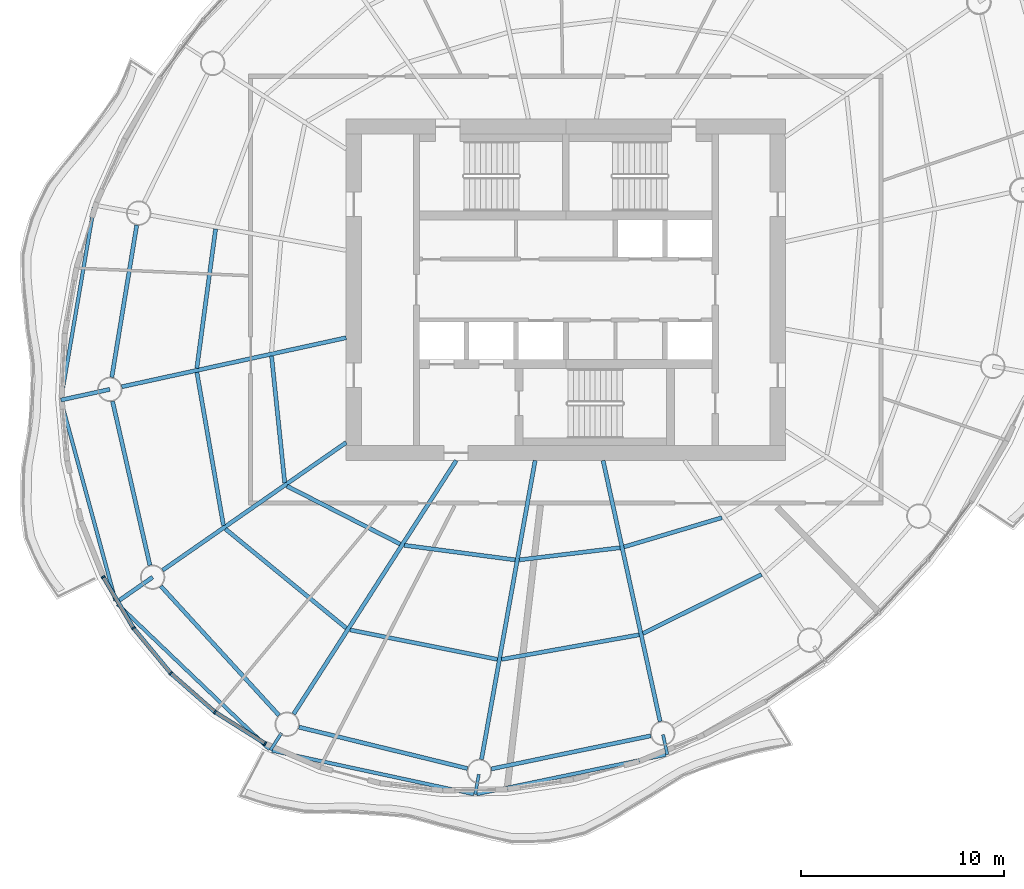
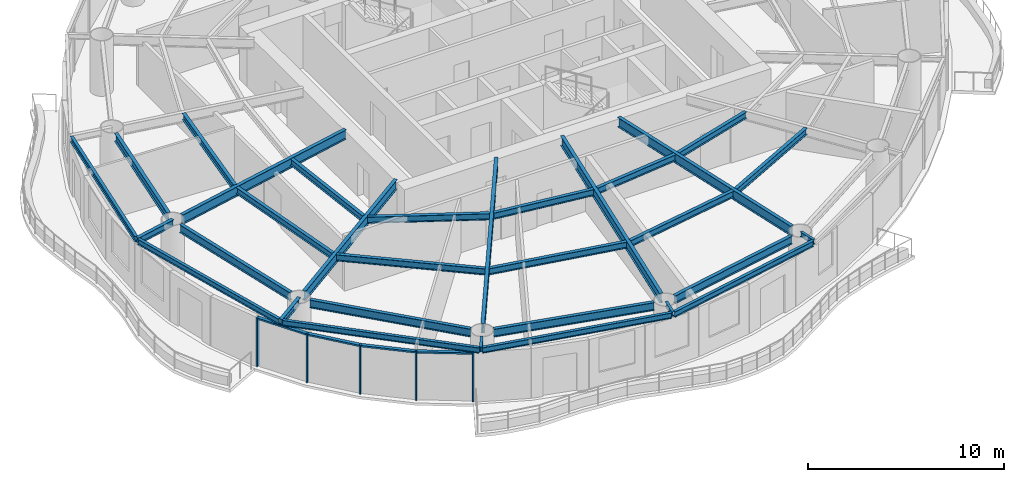
# One storey, part 2 of 14: 31 beams, 9 members, 4 elements without a shape of their own.
"""IFC4 building model written with IfcOpenShell, lengths in metres."""

from ifc_helpers import new_model, si_unit, direction, frame, origin, origin_2d, place, context, subcontext, project, spatial, rectangle, i_section, extrude, material, material_profile, profile_set, type_object, element, aggregate, save


model = new_model("IFC4")

# Units and contexts
model_context = context("Model", 3, precision=1e-05, world=origin(), true_north=direction((0.0, 1.0)))
body_context = subcontext(model_context, "Body", "Model", "MODEL_VIEW")
ifc_project = project(units=[si_unit("LENGTHUNIT", "METRE"), si_unit("AREAUNIT", "SQUARE_METRE"), si_unit("VOLUMEUNIT", "CUBIC_METRE"), si_unit("PLANEANGLEUNIT", "RADIAN"), si_unit("MASSUNIT", "GRAM", prefix="KILO")], contexts=[model_context])

# Site, building, storey
site_placement = place(None, origin())
site = spatial("IfcSite", under=ifc_project, at=site_placement, CompositionType="ELEMENT")
building_placement = place(site_placement, origin())
building = spatial("IfcBuilding", under=site, at=building_placement, Name="Vermilion Reach Broadcast Tower", CompositionType="ELEMENT")
storey_placement = place(building_placement, frame((0.0, 0.0, 210.10009765625)))
storey = spatial("IfcBuildingStorey", under=building, at=storey_placement, Name="L51", CompositionType="ELEMENT", Elevation=210.10009765625)

# Beams
ifc_material_1 = material(Name="Steel S355J2", Category="steel")
ifc_material_profile_1 = material_profile(ifc_material_1, i_section(OverallWidth=0.175048828125, OverallDepth=0.35009765625, WebThickness=0.007080078125, FlangeThickness=0.010986328125, at=origin_2d()), Name="S355J2 HN 350x175x7x11")
ifc_profile_set_1 = profile_set([ifc_material_profile_1], Name="Steel S355J2")
beam_type_1 = type_object("IfcBeamType", Name="EB4 HN 350x175x7x11", PredefinedType="BEAM", material=ifc_profile_set_1)
beam_1_placement = place(storey_placement, frame((-29.20703125, 4.0615234375, 3.27490234375), z_axis=(-0.168585791356, -0.985686984267, 0.0), x_axis=(0.985686984267, -0.168585791356, 0.0)))
element("IfcBeam", 1, at=beam_1_placement, inside=storey, type_object=beam_type_1, Name="Edge beam EB4-06", PredefinedType="BEAM", context=body_context, shape_type="SweptSolid", body=[
    extrude(i_section(OverallWidth=0.175048828125, OverallDepth=0.35009765625, WebThickness=0.007080078125, FlangeThickness=0.010986328125, at=origin_2d()), origin(), (0.0, 0.0, 1.0), 9.518798828125),
])
beam_2_placement = place(storey_placement, frame((-30.8037109375, -5.524169921875, 3.27490234375), z_axis=(0.262637589383, -0.964894552085, 0.0), x_axis=(0.964894552085, 0.262637589383, 0.0)))
element("IfcBeam", 2, at=beam_2_placement, inside=storey, type_object=beam_type_1, Name="Edge beam EB4-07", PredefinedType="BEAM", context=body_context, shape_type="SweptSolid", body=[
    extrude(i_section(OverallWidth=0.175048828125, OverallDepth=0.35009765625, WebThickness=0.007080078125, FlangeThickness=0.010986328125, at=origin_2d()), origin(), (0.0, 0.0, 1.0), 10.118408203125),
])
beam_3_placement = place(storey_placement, frame((-28.04443359375, -15.460205078125, 3.27490234375), z_axis=(0.722744526792, -0.69111529356, 0.0), x_axis=(0.69111529356, 0.722744526792, 0.0)))
element("IfcBeam", 3, at=beam_3_placement, inside=storey, type_object=beam_type_1, Name="Edge beam EB4-08", PredefinedType="BEAM", context=body_context, shape_type="SweptSolid", body=[
    extrude(i_section(OverallWidth=0.175048828125, OverallDepth=0.35009765625, WebThickness=0.007080078125, FlangeThickness=0.010986328125, at=origin_2d()), origin(), (0.0, 0.0, 1.0), 10.327880859375),
])
beam_4_placement = place(storey_placement, frame((-20.446533203125, -22.667724609375, 3.27490234375), z_axis=(0.977562731695, -0.210644500522, 0.0), x_axis=(0.210644500522, 0.977562731695, 0.0)))
element("IfcBeam", 4, at=beam_4_placement, inside=storey, type_object=beam_type_1, Name="Edge beam EB4-09", PredefinedType="BEAM", context=body_context, shape_type="SweptSolid", body=[
    extrude(i_section(OverallWidth=0.175048828125, OverallDepth=0.35009765625, WebThickness=0.007080078125, FlangeThickness=0.010986328125, at=origin_2d()), origin(), (0.0, 0.0, 1.0), 10.1484375),
])
beam_5_placement = place(storey_placement, frame((-10.37353515625, -24.8046875, 3.27490234375), z_axis=(0.979072302553, 0.203512717966, 0.0), x_axis=(-0.203512717966, 0.979072302553, 0.0)))
element("IfcBeam", 5, at=beam_5_placement, inside=storey, type_object=beam_type_1, Name="Edge beam EB4-10", PredefinedType="BEAM", context=body_context, shape_type="SweptSolid", body=[
    extrude(i_section(OverallWidth=0.175048828125, OverallDepth=0.35009765625, WebThickness=0.007080078125, FlangeThickness=0.010986328125, at=origin_2d()), origin(), (0.0, 0.0, 1.0), 9.4951171875),
])
ifc_material_2 = material(Name="Steel S355J2", Category="steel")
ifc_material_profile_2 = material_profile(ifc_material_2, i_section(OverallWidth=0.199951171875, OverallDepth=0.60009765625, WebThickness=0.010986328125, FlangeThickness=0.01708984375, at=origin_2d()), Name="S355J2 HN 600x200x11x17")
ifc_profile_set_2 = profile_set([ifc_material_profile_2], Name="Steel S355J2")
beam_type_2 = type_object("IfcBeamType", Name="G4 HN 600x200x11x17", PredefinedType="BEAM", material=ifc_profile_set_2)
beam_6_placement = place(storey_placement, frame((-16.800048828125, -2.360595703125, 3.14990234375), z_axis=(-0.976930175286, -0.213558967537, 0.0), x_axis=(0.213558967537, -0.976930175286, 0.0)))
element("IfcBeam", 6, at=beam_6_placement, inside=storey, type_object=beam_type_2, Name="Girder G4-07", PredefinedType="BEAM", context=body_context, shape_type="SweptSolid", body=[
    extrude(i_section(OverallWidth=0.199951171875, OverallDepth=0.60009765625, WebThickness=0.010986328125, FlangeThickness=0.01708984375, at=origin_2d()), origin(), (0.0, 0.0, 1.0), 11.29833984375),
])
beam_7_placement = place(storey_placement, frame((-16.800048828125, -7.5146484375, 3.14990234375), z_axis=(-0.820848627818, -0.571145804684, 0.0), x_axis=(0.571145804684, -0.820848627818, 0.0)))
element("IfcBeam", 7, at=beam_7_placement, inside=storey, type_object=beam_type_2, Name="Girder G4-08", PredefinedType="BEAM", context=body_context, shape_type="SweptSolid", body=[
    extrude(i_section(OverallWidth=0.199951171875, OverallDepth=0.60009765625, WebThickness=0.010986328125, FlangeThickness=0.01708984375, at=origin_2d()), origin(), (0.0, 0.0, 1.0), 10.99560546875),
])
beam_8_placement = place(storey_placement, frame((-11.386474609375, -8.39990234375, 3.14990234375), z_axis=(-0.539796447586, -0.84179557802, 0.0), x_axis=(0.84179557802, -0.539796447586, 0.0)))
element("IfcBeam", 8, at=beam_8_placement, inside=storey, type_object=beam_type_2, Name="Girder G4-09", PredefinedType="BEAM", context=body_context, shape_type="SweptSolid", body=[
    extrude(i_section(OverallWidth=0.199951171875, OverallDepth=0.60009765625, WebThickness=0.010986328125, FlangeThickness=0.01708984375, at=origin_2d()), origin(), (0.0, 0.0, 1.0), 14.8076171875),
])
beam_9_placement = place(storey_placement, frame((-7.5068359375, -8.39990234375, 3.14990234375), z_axis=(-0.176574729047, -0.984287237072, 0.0), x_axis=(0.984287237072, -0.176574729047, 0.0)))
element("IfcBeam", 9, at=beam_9_placement, inside=storey, type_object=beam_type_2, Name="Girder G4-10", PredefinedType="BEAM", context=body_context, shape_type="SweptSolid", body=[
    extrude(i_section(OverallWidth=0.199951171875, OverallDepth=0.60009765625, WebThickness=0.010986328125, FlangeThickness=0.01708984375, at=origin_2d()), origin(), (0.0, 0.0, 1.0), 14.935302734375),
])
beam_10_placement = place(storey_placement, frame((-4.163818359375, -8.39990234375, 3.14990234375), z_axis=(0.213538346548, -0.976934682849, 0.0), x_axis=(0.976934682849, 0.213538346548, 0.0)))
element("IfcBeam", 10, at=beam_10_placement, inside=storey, type_object=beam_type_2, Name="Girder G4-11", PredefinedType="BEAM", context=body_context, shape_type="SweptSolid", body=[
    extrude(i_section(OverallWidth=0.199951171875, OverallDepth=0.60009765625, WebThickness=0.010986328125, FlangeThickness=0.01708984375, at=origin_2d()), origin(), (0.0, 0.0, 1.0), 13.135498046875),
])
ifc_material_3 = material(Name="Steel S355J2", Category="steel")
ifc_material_profile_3 = material_profile(ifc_material_3, i_section(OverallWidth=0.199951171875, OverallDepth=0.39990234375, WebThickness=0.008056640625, FlangeThickness=0.012939453125, at=origin_2d()), Name="S355J2 HN 400x200x8x13")
ifc_profile_set_3 = profile_set([ifc_material_profile_3], Name="Steel S355J2")
beam_type_3 = type_object("IfcBeamType", Name="GC4 HN 400x200x8x13", PredefinedType="BEAM", material=ifc_profile_set_3)
beam_11_placement = place(storey_placement, frame((-28.423828125, -4.9013671875, 3.25), z_axis=(-0.976920705028, -0.213602284835, 0.0), x_axis=(0.213602284835, -0.976920705028, 0.0)))
element("IfcBeam", 11, at=beam_11_placement, inside=storey, type_object=beam_type_3, Name="Cantilever girder GC4-07", PredefinedType="BEAM", context=body_context, shape_type="SweptSolid", body=[
    extrude(i_section(OverallWidth=0.199951171875, OverallDepth=0.39990234375, WebThickness=0.008056640625, FlangeThickness=0.012939453125, at=origin_2d()), origin(), (0.0, 0.0, 1.0), 2.463134765625),
])
beam_12_placement = place(storey_placement, frame((-26.318115234375, -14.13720703125, 3.25), z_axis=(-0.820855276259, -0.571136249452, 0.0), x_axis=(0.571136249452, -0.820855276259, 0.0)))
element("IfcBeam", 12, at=beam_12_placement, inside=storey, type_object=beam_type_3, Name="Cantilever girder GC4-08", PredefinedType="BEAM", context=body_context, shape_type="SweptSolid", body=[
    extrude(i_section(OverallWidth=0.199951171875, OverallDepth=0.39990234375, WebThickness=0.008056640625, FlangeThickness=0.012939453125, at=origin_2d()), origin(), (0.0, 0.0, 1.0), 2.19287109375),
])
ifc_material_4 = material(Name="Steel S355J2", Category="steel")
ifc_material_profile_4 = material_profile(ifc_material_4, i_section(OverallWidth=0.14990234375, OverallDepth=0.300048828125, WebThickness=0.006591796875, FlangeThickness=0.009033203125, at=origin_2d()), Name="S355J2 HN 300x150x6.5x9")
ifc_profile_set_4 = profile_set([ifc_material_profile_4], Name="Steel S355J2")
beam_type_4 = type_object("IfcBeamType", Name="GS4 HN 300x150x6.5x9", PredefinedType="BEAM", material=ifc_profile_set_4)
beam_13_placement = place(storey_placement, frame((-19.985107421875, -21.80908203125, 3.2998046875), z_axis=(-0.539794777091, -0.841796649213, 0.0), x_axis=(0.841796649213, -0.539794777091, 0.0)))
element("IfcBeam", 13, at=beam_13_placement, inside=storey, type_object=beam_type_4, Name="Cantilever stub GS4-09", PredefinedType="BEAM", context=body_context, shape_type="SweptSolid", body=[
    extrude(i_section(OverallWidth=0.14990234375, OverallDepth=0.300048828125, WebThickness=0.006591796875, FlangeThickness=0.009033203125, at=origin_2d()), origin(), (0.0, 0.0, 1.0), 1.0),
])
beam_14_placement = place(storey_placement, frame((-10.276123046875, -23.8369140625, 3.2998046875), z_axis=(-0.176542748677, -0.984292973606, 0.0), x_axis=(0.984292973606, -0.176542748677, 0.0)))
element("IfcBeam", 14, at=beam_14_placement, inside=storey, type_object=beam_type_4, Name="Cantilever stub GS4-10", PredefinedType="BEAM", context=body_context, shape_type="SweptSolid", body=[
    extrude(i_section(OverallWidth=0.14990234375, OverallDepth=0.300048828125, WebThickness=0.006591796875, FlangeThickness=0.009033203125, at=origin_2d()), origin(), (0.0, 0.0, 1.0), 0.999755859375),
])
beam_15_placement = place(storey_placement, frame((-1.21728515625, -21.880126953125, 3.2998046875), z_axis=(0.213361967393, -0.976973219116, 0.0), x_axis=(0.976973219116, 0.213361967393, 0.0)))
element("IfcBeam", 15, at=beam_15_placement, inside=storey, type_object=beam_type_4, Name="Cantilever stub GS4-11", PredefinedType="BEAM", context=body_context, shape_type="SweptSolid", body=[
    extrude(i_section(OverallWidth=0.14990234375, OverallDepth=0.300048828125, WebThickness=0.006591796875, FlangeThickness=0.009033203125, at=origin_2d()), origin(), (0.0, 0.0, 1.0), 1.0),
])
ifc_material_5 = material(Name="Steel S355J2", Category="steel")
ifc_material_profile_5 = material_profile(ifc_material_5, i_section(OverallWidth=0.199951171875, OverallDepth=0.5, WebThickness=0.010009765625, FlangeThickness=0.01611328125, at=origin_2d()), Name="S355J2 HN 500x200x10x16")
ifc_profile_set_5 = profile_set([ifc_material_profile_5], Name="Steel S355J2")
beam_type_5 = type_object("IfcBeamType", Name="RB4 HN 500x200x10x16", PredefinedType="BEAM", material=ifc_profile_set_5)
beam_16_placement = place(storey_placement, frame((-27.099609375, 3.175537109375, 3.199951171875), z_axis=(-0.161778110263, -0.986827159659, 0.0), x_axis=(0.986827159659, -0.161778110263, 0.0)))
element("IfcBeam", 16, at=beam_16_placement, inside=storey, type_object=beam_type_5, Name="Ring beam RB4-06", PredefinedType="BEAM", context=body_context, shape_type="SweptSolid", body=[
    extrude(i_section(OverallWidth=0.199951171875, OverallDepth=0.5, WebThickness=0.010009765625, FlangeThickness=0.01611328125, at=origin_2d()), origin(), (0.0, 0.0, 1.0), 7.584716796875),
])
beam_17_placement = place(storey_placement, frame((-28.290283203125, -5.486572265625, 3.199951171875), z_axis=(0.222283068275, -0.974982172944, 0.0), x_axis=(0.974982172944, 0.222283068275, 0.0)))
element("IfcBeam", 17, at=beam_17_placement, inside=storey, type_object=beam_type_5, Name="Ring beam RB4-07", PredefinedType="BEAM", context=body_context, shape_type="SweptSolid", body=[
    extrude(i_section(OverallWidth=0.199951171875, OverallDepth=0.5, WebThickness=0.010009765625, FlangeThickness=0.01611328125, at=origin_2d()), origin(), (0.0, 0.0, 1.0), 8.272705078125),
])
beam_18_placement = place(storey_placement, frame((-25.9130859375, -14.580078125, 3.199951171875), z_axis=(0.674868141417, -0.737938338684, 0.0), x_axis=(0.737938338684, 0.674868141417, 0.0)))
element("IfcBeam", 18, at=beam_18_placement, inside=storey, type_object=beam_type_5, Name="Ring beam RB4-08", PredefinedType="BEAM", context=body_context, shape_type="SweptSolid", body=[
    extrude(i_section(OverallWidth=0.199951171875, OverallDepth=0.5, WebThickness=0.010009765625, FlangeThickness=0.01611328125, at=origin_2d()), origin(), (0.0, 0.0, 1.0), 8.601318359375),
])
beam_19_placement = place(storey_placement, frame((-19.120849609375, -21.51318359375, 3.199951171875), z_axis=(0.971158622271, -0.238434331398, 0.0), x_axis=(0.238434331398, 0.971158622271, 0.0)))
element("IfcBeam", 19, at=beam_19_placement, inside=storey, type_object=beam_type_5, Name="Ring beam RB4-09", PredefinedType="BEAM", context=body_context, shape_type="SweptSolid", body=[
    extrude(i_section(OverallWidth=0.199951171875, OverallDepth=0.5, WebThickness=0.010009765625, FlangeThickness=0.01611328125, at=origin_2d()), origin(), (0.0, 0.0, 1.0), 8.534423828125),
])
beam_20_placement = place(storey_placement, frame((-9.662353515625, -23.569091796875, 3.199951171875), z_axis=(0.97912342484, 0.203266620302, 0.0), x_axis=(-0.203266620302, 0.97912342484, 0.0)))
element("IfcBeam", 20, at=beam_20_placement, inside=storey, type_object=beam_type_5, Name="Ring beam RB4-10", PredefinedType="BEAM", context=body_context, shape_type="SweptSolid", body=[
    extrude(i_section(OverallWidth=0.199951171875, OverallDepth=0.5, WebThickness=0.010009765625, FlangeThickness=0.01611328125, at=origin_2d()), origin(), (0.0, 0.0, 1.0), 8.01123046875),
])
ifc_material_6 = material(Name="Steel S355J2", Category="steel")
ifc_material_profile_6 = material_profile(ifc_material_6, i_section(OverallWidth=0.199951171875, OverallDepth=0.39990234375, WebThickness=0.008056640625, FlangeThickness=0.012939453125, at=origin_2d()), Name="S355J2 HN 400x200x8x13")
ifc_profile_set_6 = profile_set([ifc_material_profile_6], Name="Steel S355J2")
beam_type_6 = type_object("IfcBeamType", Name="SB4 HN 400x200x8x13", PredefinedType="BEAM", material=ifc_profile_set_6)
beam_21_placement = place(storey_placement, frame((-23.221435546875, 2.98779296875, 3.25), z_axis=(-0.133486718782, -0.991050602093, 0.0), x_axis=(0.991050602093, -0.133486718782, 0.0)))
element("IfcBeam", 21, at=beam_21_placement, inside=storey, type_object=beam_type_6, Name="Secondary beam SB4-06-2", PredefinedType="BEAM", context=body_context, shape_type="SweptSolid", body=[
    extrude(i_section(OverallWidth=0.199951171875, OverallDepth=0.39990234375, WebThickness=0.008056640625, FlangeThickness=0.012939453125, at=origin_2d()), origin(), (0.0, 0.0, 1.0), 6.913330078125),
])
beam_22_placement = place(storey_placement, frame((-20.46875, -3.264892578125, 3.25), z_axis=(0.103532173355, -0.994626105167, 0.0), x_axis=(0.994626105167, 0.103532173355, 0.0)))
element("IfcBeam", 22, at=beam_22_placement, inside=storey, type_object=beam_type_6, Name="Secondary beam SB4-07-1", PredefinedType="BEAM", context=body_context, shape_type="SweptSolid", body=[
    extrude(i_section(OverallWidth=0.199951171875, OverallDepth=0.39990234375, WebThickness=0.008056640625, FlangeThickness=0.012939453125, at=origin_2d()), origin(), (0.0, 0.0, 1.0), 6.26318359375),
])
beam_23_placement = place(storey_placement, frame((-24.141357421875, -4.067626953125, 3.25), z_axis=(0.170926997669, -0.985283695931, 0.0), x_axis=(0.985283695931, 0.170926997669, 0.0)))
element("IfcBeam", 23, at=beam_23_placement, inside=storey, type_object=beam_type_6, Name="Secondary beam SB4-07-2", PredefinedType="BEAM", context=body_context, shape_type="SweptSolid", body=[
    extrude(i_section(OverallWidth=0.199951171875, OverallDepth=0.39990234375, WebThickness=0.008056640625, FlangeThickness=0.012939453125, at=origin_2d()), origin(), (0.0, 0.0, 1.0), 7.63720703125),
])
beam_24_placement = place(storey_placement, frame((-19.707763671875, -9.659423828125, 3.25), z_axis=(0.89015575218, -0.455656380249, 0.0), x_axis=(0.455656380249, 0.89015575218, 0.0)))
element("IfcBeam", 24, at=beam_24_placement, inside=storey, type_object=beam_type_6, Name="Secondary beam SB4-08-1", PredefinedType="BEAM", context=body_context, shape_type="SweptSolid", body=[
    extrude(i_section(OverallWidth=0.199951171875, OverallDepth=0.39990234375, WebThickness=0.008056640625, FlangeThickness=0.012939453125, at=origin_2d()), origin(), (0.0, 0.0, 1.0), 6.25439453125),
])
beam_25_placement = place(storey_placement, frame((-22.73681640625, -11.76708984375, 3.25), z_axis=(0.772952000494, -0.6344645025, 0.0), x_axis=(0.6344645025, 0.772952000494, 0.0)))
element("IfcBeam", 25, at=beam_25_placement, inside=storey, type_object=beam_type_6, Name="Secondary beam SB4-08-2", PredefinedType="BEAM", context=body_context, shape_type="SweptSolid", body=[
    extrude(i_section(OverallWidth=0.199951171875, OverallDepth=0.39990234375, WebThickness=0.008056640625, FlangeThickness=0.012939453125, at=origin_2d()), origin(), (0.0, 0.0, 1.0), 7.689697265625),
])
beam_26_placement = place(storey_placement, frame((-13.94140625, -12.5693359375, 3.25), z_axis=(0.991458070019, -0.130425823341, 0.0), x_axis=(0.130425823341, 0.991458070019, 0.0)))
element("IfcBeam", 26, at=beam_26_placement, inside=storey, type_object=beam_type_6, Name="Secondary beam SB4-09-1", PredefinedType="BEAM", context=body_context, shape_type="SweptSolid", body=[
    extrude(i_section(OverallWidth=0.199951171875, OverallDepth=0.39990234375, WebThickness=0.008056640625, FlangeThickness=0.012939453125, at=origin_2d()), origin(), (0.0, 0.0, 1.0), 5.50341796875),
])
beam_27_placement = place(storey_placement, frame((-16.60986328125, -16.73095703125, 3.25), z_axis=(0.9805717807, -0.196160604851, 0.0), x_axis=(0.196160604851, 0.9805717807, 0.0)))
element("IfcBeam", 27, at=beam_27_placement, inside=storey, type_object=beam_type_6, Name="Secondary beam SB4-09-2", PredefinedType="BEAM", context=body_context, shape_type="SweptSolid", body=[
    extrude(i_section(OverallWidth=0.199951171875, OverallDepth=0.39990234375, WebThickness=0.008056640625, FlangeThickness=0.012939453125, at=origin_2d()), origin(), (0.0, 0.0, 1.0), 7.390380859375),
])
beam_28_placement = place(storey_placement, frame((-8.281982421875, -13.28759765625, 3.25), z_axis=(0.99278788328, 0.119884189168, 0.0), x_axis=(-0.119884189168, 0.99278788328, 0.0)))
element("IfcBeam", 28, at=beam_28_placement, inside=storey, type_object=beam_type_6, Name="Secondary beam SB4-10-1", PredefinedType="BEAM", context=body_context, shape_type="SweptSolid", body=[
    extrude(i_section(OverallWidth=0.199951171875, OverallDepth=0.39990234375, WebThickness=0.008056640625, FlangeThickness=0.012939453125, at=origin_2d()), origin(), (0.0, 0.0, 1.0), 4.9892578125),
])
beam_29_placement = place(storey_placement, frame((-9.159912109375, -18.181640625, 3.25), z_axis=(0.984415281892, 0.175859468829, 0.0), x_axis=(-0.175859468829, 0.984415281892, 0.0)))
element("IfcBeam", 29, at=beam_29_placement, inside=storey, type_object=beam_type_6, Name="Secondary beam SB4-10-2", PredefinedType="BEAM", context=body_context, shape_type="SweptSolid", body=[
    extrude(i_section(OverallWidth=0.199951171875, OverallDepth=0.39990234375, WebThickness=0.008056640625, FlangeThickness=0.012939453125, at=origin_2d()), origin(), (0.0, 0.0, 1.0), 6.874755859375),
])
beam_30_placement = place(storey_placement, frame((-3.1328125, -12.64892578125, 3.25), z_axis=(0.958173460215, 0.28618808525, 0.0), x_axis=(-0.28618808525, 0.958173460215, 0.0)))
element("IfcBeam", 30, at=beam_30_placement, inside=storey, type_object=beam_type_6, Name="Secondary beam SB4-11-1", PredefinedType="BEAM", context=body_context, shape_type="SweptSolid", body=[
    extrude(i_section(OverallWidth=0.199951171875, OverallDepth=0.39990234375, WebThickness=0.008056640625, FlangeThickness=0.012939453125, at=origin_2d()), origin(), (0.0, 0.0, 1.0), 5.02197265625),
])
beam_31_placement = place(storey_placement, frame((-2.20166015625, -16.908935546875, 3.25), z_axis=(0.895183615542, 0.445697536974, 0.0), x_axis=(-0.445697536974, 0.895183615542, 0.0)))
element("IfcBeam", 31, at=beam_31_placement, inside=storey, type_object=beam_type_6, Name="Secondary beam SB4-11-2", PredefinedType="BEAM", context=body_context, shape_type="SweptSolid", body=[
    extrude(i_section(OverallWidth=0.199951171875, OverallDepth=0.39990234375, WebThickness=0.008056640625, FlangeThickness=0.012939453125, at=origin_2d()), origin(), (0.0, 0.0, 1.0), 6.508544921875),
])

# Curtain wall, member
ifc_material_7 = material(Name="Low-e laminated clear glass in aluminium frame", Category="aluminium")
curtain_wall_type = type_object("IfcCurtainWallType", Name="Slot curtain wall", PredefinedType="NOTDEFINED", material=ifc_material_7)
placement = place(storey_placement, origin())
curtain_wall_1 = element("IfcCurtainWall", 32, at=placement, inside=storey, type_object=curtain_wall_type, Name="Slot curtain wall L51 22", PredefinedType="NOTDEFINED")
ifc_material_8 = material(Name="Anodised aluminium", Category="aluminium")
ifc_material_profile_7 = material_profile(ifc_material_8, rectangle(XDim=0.199951171875, YDim=0.080078125, at=origin_2d()), Name="Slot mullion 80 x 200")
ifc_profile_set_7 = profile_set([ifc_material_profile_7], Name="Anodised aluminium")
member_type_1 = type_object("IfcMemberType", Name="Slot mullion 80 x 200", PredefinedType="MULLION", material=ifc_profile_set_7)
member_1_placement = place(storey_placement, frame((-28.745361328125, -14.124755859375, 0.0), z_axis=(0.0, 0.0, 1.0), x_axis=(0.898130837264, 0.43972832426, 0.0)))
member_1 = element("IfcMember", 33, at=member_1_placement, type_object=member_type_1, Name="Slot mullion L51 22", PredefinedType="MULLION", context=body_context, shape_type="SweptSolid", body=[
    extrude(rectangle(XDim=0.199951171875, YDim=0.080078125, at=origin_2d()), origin(), (0.0, 0.0, 1.0), 3.0498046875),
])

curtain_wall_2 = element("IfcCurtainWall", 34, at=placement, inside=storey, type_object=curtain_wall_type, Name="Slot curtain wall L51 23", PredefinedType="NOTDEFINED")
member_2_placement = place(storey_placement, frame((-27.265380859375, -16.635498046875, 0.0), z_axis=(0.0, 0.0, 1.0), x_axis=(0.818640084495, 0.574306897101, 0.0)))
member_2 = element("IfcMember", 35, at=member_2_placement, type_object=member_type_1, Name="Slot mullion L51 23", PredefinedType="MULLION", context=body_context, shape_type="SweptSolid", body=[
    extrude(rectangle(XDim=0.199951171875, YDim=0.080078125, at=origin_2d()), origin(), (0.0, 0.0, 1.0), 3.0498046875),
])

curtain_wall_3 = element("IfcCurtainWall", 36, at=placement, inside=storey, type_object=curtain_wall_type, Name="Slot curtain wall L51 24", PredefinedType="NOTDEFINED")
member_3_placement = place(storey_placement, frame((-25.423828125, -18.862548828125, 0.0), z_axis=(0.0, 0.0, 1.0), x_axis=(0.717397160457, 0.696664420054, 0.0)))
member_3 = element("IfcMember", 37, at=member_3_placement, type_object=member_type_1, Name="Slot mullion L51 24", PredefinedType="MULLION", context=body_context, shape_type="SweptSolid", body=[
    extrude(rectangle(XDim=0.199951171875, YDim=0.080078125, at=origin_2d()), origin(), (0.0, 0.0, 1.0), 3.0498046875),
])

# Curtain wall, members
curtain_wall_4 = element("IfcCurtainWall", 38, at=placement, inside=storey, type_object=curtain_wall_type, Name="Slot curtain wall L51 25", PredefinedType="NOTDEFINED")
member_4_placement = place(storey_placement, frame((-23.251953125, -20.7685546875, 0.0), z_axis=(0.0, 0.0, 1.0), x_axis=(0.598060336589, 0.801451080104, 0.0)))
member_4 = element("IfcMember", 39, at=member_4_placement, type_object=member_type_1, Name="Slot mullion L51 25", PredefinedType="MULLION", context=body_context, shape_type="SweptSolid", body=[
    extrude(rectangle(XDim=0.199951171875, YDim=0.080078125, at=origin_2d()), origin(), (0.0, 0.0, 1.0), 3.0498046875),
])
member_5_placement = place(storey_placement, frame((-20.785400390625, -22.3212890625, 0.0), z_axis=(0.0, 0.0, 1.0), x_axis=(0.465870138705, 0.884853102985, 0.0)))
member_5 = element("IfcMember", 40, at=member_5_placement, type_object=member_type_1, Name="Slot mullion L51 26", PredefinedType="MULLION", context=body_context, shape_type="SweptSolid", body=[
    extrude(rectangle(XDim=0.199951171875, YDim=0.080078125, at=origin_2d()), origin(), (0.0, 0.0, 1.0), 3.0498046875),
])

# Member
ifc_material_9 = material(Name="Anodised aluminium", Category="aluminium")
ifc_material_profile_8 = material_profile(ifc_material_9, rectangle(XDim=0.199951171875, YDim=0.10009765625, at=origin_2d()), Name="Slot transom 200 x 100")
ifc_profile_set_8 = profile_set([ifc_material_profile_8], Name="Anodised aluminium")
member_type_2 = type_object("IfcMemberType", Name="Slot transom 200 x 100", PredefinedType="USERDEFINED", material=ifc_profile_set_8)
member_6_placement = place(storey_placement, frame((-28.724853515625, -14.1591796875, 3.0), z_axis=(0.507753955186, -0.86150213058, 0.0), x_axis=(0.86150213058, 0.507753955186, 0.0)))
member_6 = element("IfcMember", 41, at=member_6_placement, type_object=member_type_2, Name="Slot transom L51 22.1", ObjectType="TRANSOM", PredefinedType="USERDEFINED", context=body_context, shape_type="SweptSolid", body=[
    extrude(rectangle(XDim=0.199951171875, YDim=0.10009765625, at=origin_2d()), origin(), (0.0, 0.0, 1.0), 2.83447265625),
])

aggregate(curtain_wall_1, [member_1, member_6])

member_7_placement = place(storey_placement, frame((-27.23974609375, -16.66650390625, 3.0), z_axis=(0.637213743412, -0.770687125367, 0.0), x_axis=(0.770687125367, 0.637213743412, 0.0)))
member_7 = element("IfcMember", 42, at=member_7_placement, type_object=member_type_2, Name="Slot transom L51 23.1", ObjectType="TRANSOM", PredefinedType="USERDEFINED", context=body_context, shape_type="SweptSolid", body=[
    extrude(rectangle(XDim=0.199951171875, YDim=0.10009765625, at=origin_2d()), origin(), (0.0, 0.0, 1.0), 2.8095703125),
])

aggregate(curtain_wall_2, [member_2, member_7])

member_8_placement = place(storey_placement, frame((-25.393798828125, -18.888916015625, 3.0), z_axis=(0.751617776712, -0.659598906708, 0.0), x_axis=(0.659598906708, 0.751617776712, 0.0)))
member_8 = element("IfcMember", 43, at=member_8_placement, type_object=member_type_2, Name="Slot transom L51 24.1", ObjectType="TRANSOM", PredefinedType="USERDEFINED", context=body_context, shape_type="SweptSolid", body=[
    extrude(rectangle(XDim=0.199951171875, YDim=0.10009765625, at=origin_2d()), origin(), (0.0, 0.0, 1.0), 2.809814453125),
])

aggregate(curtain_wall_3, [member_3, member_8])

member_9_placement = place(storey_placement, frame((-23.218017578125, -20.789794921875, 3.0), z_axis=(0.846237155073, -0.532806416416, 0.0), x_axis=(0.532806416416, 0.846237155073, 0.0)))
member_9 = element("IfcMember", 44, at=member_9_placement, type_object=member_type_2, Name="Slot transom L51 25.1", ObjectType="TRANSOM", PredefinedType="USERDEFINED", context=body_context, shape_type="SweptSolid", body=[
    extrude(rectangle(XDim=0.199951171875, YDim=0.10009765625, at=origin_2d()), origin(), (0.0, 0.0, 1.0), 2.83447265625),
])

aggregate(curtain_wall_4, [member_4, member_5, member_9])

save(model, "model.ifc")
